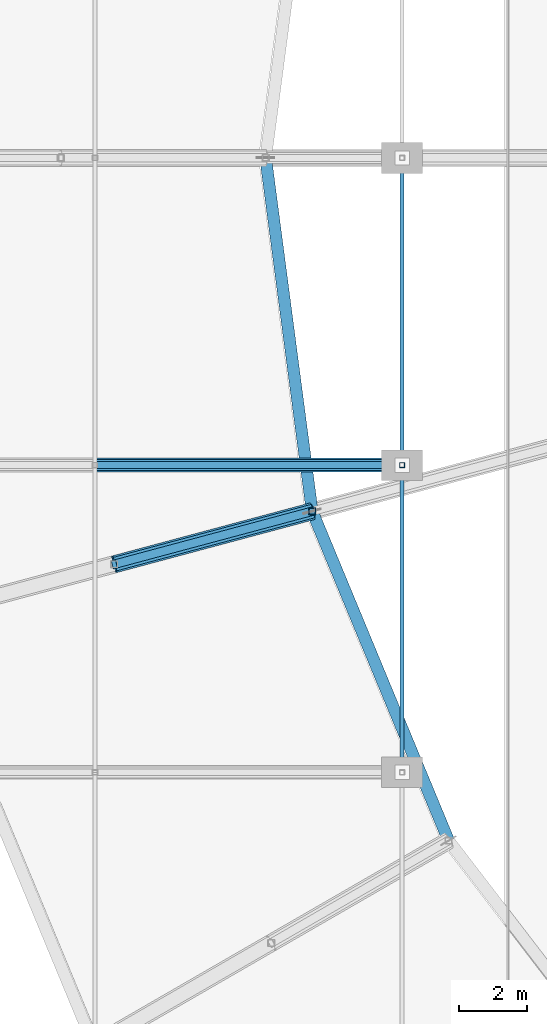
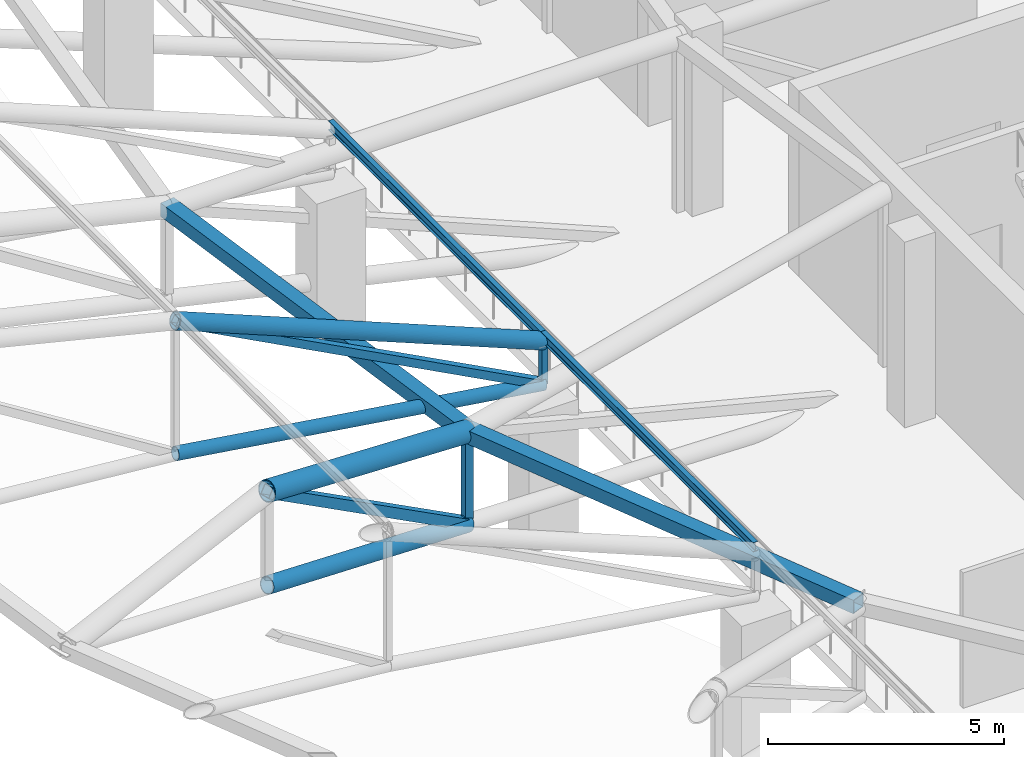
# One storey, part 48 of 167: 12 members.
"""IFC4 building model written with IfcOpenShell, lengths in metres."""

import ifcopenshell
import ifcopenshell.guid

model = None  # the IFC model being written
_history = None  # IfcOwnerHistory: only IFC2X3 demands one
_inside = {}  # id of a spatial element -> (the spatial element, [elements in it])
_under = {}  # id of a project, library or spatial element -> (it, [spatial elements below it])
_declared = {}  # id of a project -> (the project, [libraries it declares])
_typed = {}  # id of a type object -> (the type object, [elements of that type])
_made_of = {}  # id of a material, layer set ... -> (it, [elements and type objects made of it])


def new_model(schema):
    """Start an empty IFC model of exactly this schema.

    Asked for "IFC4X3", IfcOpenShell would pick the latest addendum, in which some entities
    have other attributes; the version numbers below select the first issue.
    IFC2X3 requires an IfcOwnerHistory on every rooted entity: one is made here for all.
    """
    global model, _history
    if schema == "IFC4X3":
        model = ifcopenshell.file(schema_version=(4, 3, 0, 0))
    else:
        model = ifcopenshell.file(schema=schema)
    _inside.clear()
    _under.clear()
    _declared.clear()
    _typed.clear()
    _made_of.clear()
    _history = None
    if model.schema == "IFC2X3":
        org = make("IfcOrganization", Name="unknown")
        user = make(
            "IfcPersonAndOrganization",
            ThePerson=make("IfcPerson", FamilyName="unknown"),
            TheOrganization=org,
        )
        app = make(
            "IfcApplication",
            ApplicationDeveloper=org,
            Version="unknown",
            ApplicationFullName="unknown",
            ApplicationIdentifier="unknown",
        )
        _history = make(
            "IfcOwnerHistory",
            OwningUser=user,
            OwningApplication=app,
            ChangeAction="ADDED",
            CreationDate=0,
        )
    return model


def make(cls, **values):
    """One entity of the class cls with the attributes given. An attribute that is None is left unset."""
    return model.create_entity(
        cls, **{name: value for name, value in values.items() if value is not None}
    )


def rooted(cls, **values):
    """An entity with a GlobalId (a new one), such as an element, a storey or a relation."""
    return make(cls, GlobalId=ifcopenshell.guid.new(), OwnerHistory=_history, **values)


def si_unit(unit_type, name, prefix=None):
    """IfcSIUnit, for example si_unit("LENGTHUNIT", "METRE", prefix="MILLI")."""
    return make("IfcSIUnit", UnitType=unit_type, Prefix=prefix, Name=name)


def assignment(units):
    """IfcUnitAssignment: the units of a project."""
    return None if units is None else make("IfcUnitAssignment", Units=units)


def point(xyz):
    """IfcCartesianPoint."""
    return None if xyz is None else make("IfcCartesianPoint", Coordinates=xyz)


def direction(xyz):
    """IfcDirection."""
    return None if xyz is None else make("IfcDirection", DirectionRatios=xyz)


def frame(location, z_axis=None, x_axis=None):
    """IfcAxis2Placement3D, a coordinate frame: its origin and axes. An axis left out is left unset."""
    return make(
        "IfcAxis2Placement3D",
        Location=point(location),
        Axis=direction(z_axis),
        RefDirection=direction(x_axis),
    )


def frame_2d(location, x_axis=None):
    """IfcAxis2Placement2D, a coordinate frame in the plane: its origin and x axis."""
    return make(
        "IfcAxis2Placement2D", Location=point(location), RefDirection=direction(x_axis)
    )


def origin():
    """The frame at (0, 0, 0) with its axes left unset."""
    return frame((0.0, 0.0, 0.0))


def origin_2d():
    """The frame at (0, 0) in the plane with its x axis left unset."""
    return frame_2d((0.0, 0.0))


def place(relative_to, where):
    """IfcLocalPlacement: puts the frame where relative to a parent placement (None: the world)."""
    return make(
        "IfcLocalPlacement", PlacementRelTo=relative_to, RelativePlacement=where
    )


def context(
    kind, dimensions, precision=None, world=None, true_north=None, identifier=None
):
    """IfcGeometricRepresentationContext, for example the 3D "Model" context."""
    return make(
        "IfcGeometricRepresentationContext",
        ContextIdentifier=identifier,
        ContextType=kind,
        CoordinateSpaceDimension=dimensions,
        Precision=precision,
        WorldCoordinateSystem=world,
        TrueNorth=true_north,
    )


def subcontext(parent, identifier, kind, view, scale=None):
    """IfcGeometricRepresentationSubContext, for example "Body" below "Model"."""
    return make(
        "IfcGeometricRepresentationSubContext",
        ContextIdentifier=identifier,
        ContextType=kind,
        ParentContext=parent,
        TargetScale=scale,
        TargetView=view,
    )


def project(units=None, contexts=None):
    """IfcProject with its units and contexts."""
    return rooted(
        "IfcProject",
        Name="project",
        RepresentationContexts=contexts,
        UnitsInContext=assignment(units),
    )


def spatial(cls, under=None, at=None, **own):
    """A site, building, storey or space (cls), placed at a placement, below another one or the project."""
    s = rooted(cls, ObjectPlacement=at, **own)
    if under is not None:
        _under.setdefault(under.id(), (under, []))[1].append(s)
    return s


def profile(cls, at=None, kind="AREA", **sizes):
    """A parametric profile (cls). Its sizes go by their IFC names, for example OverallWidth=200.0."""
    return make(cls, ProfileType=kind, Position=at, **sizes)


def hollow_rectangle(**sizes):
    """IfcRectangleHollowProfileDef."""
    return profile("IfcRectangleHollowProfileDef", **sizes)


def hollow_circle(**sizes):
    """IfcCircleHollowProfileDef."""
    return profile("IfcCircleHollowProfileDef", **sizes)


def i_section(**sizes):
    """IfcIShapeProfileDef."""
    return profile("IfcIShapeProfileDef", **sizes)


def extrude(swept, where, along, depth):
    """IfcExtrudedAreaSolid: the profile swept, set in the frame where, extruded along a direction by depth."""
    return make(
        "IfcExtrudedAreaSolid",
        SweptArea=swept,
        Position=where,
        ExtrudedDirection=direction(along),
        Depth=depth,
    )


def shape(context_of_items, identifier, shape_type, items):
    """IfcShapeRepresentation: the items that make up one representation, for example the "Body"."""
    return make(
        "IfcShapeRepresentation",
        ContextOfItems=context_of_items,
        RepresentationIdentifier=identifier,
        RepresentationType=shape_type,
        Items=items,
    )


def material(Name=None, Category=None):
    """IfcMaterial."""
    return make("IfcMaterial", Name=Name, Category=Category)


def material_profile(
    of_material, cross_section, Name=None, Category=None, Priority=None
):
    """IfcMaterialProfile: a cross section and its material."""
    return make(
        "IfcMaterialProfile",
        Name=Name,
        Material=of_material,
        Profile=cross_section,
        Priority=Priority,
        Category=Category,
    )


def profile_set(profiles, Name=None, composite=None):
    """IfcMaterialProfileSet."""
    return make(
        "IfcMaterialProfileSet",
        Name=Name,
        MaterialProfiles=profiles,
        CompositeProfile=composite,
    )


def made_of(thing, what):
    """Note that an element or type object is made of a material, layer set ...; save() writes the relation."""
    if what is not None:
        _made_of.setdefault(what.id(), (what, []))[1].append(thing)
    return thing


def type_object(cls, material=None, **own):
    """A type object (cls), such as IfcWallType, which elements share."""
    return made_of(rooted(cls, **own), material)


def element(
    cls,
    number,
    at=None,
    inside=None,
    cuts=None,
    type_object=None,
    material=None,
    context=None,
    identifier="Body",
    shape_type=None,
    held_by="IfcProductDefinitionShape",
    body=None,
    shapes=None,
    **own,
):
    """One element of the class cls, such as IfcWall. Its Tag is "e" and its number.

    at: its placement. inside: the storey or other place that contains it. cuts: it is an
    opening in that element (IfcRelVoidsElement). A single representation is given by context,
    identifier, shape_type and body (its items); several are given by shapes. held_by: the class
    of the entity that holds the representations. save() writes the other relations.
    """
    e = rooted(cls, Tag="e%d" % number, ObjectPlacement=at, **own)
    if body is not None:
        shapes = [shape(context, identifier, shape_type, body)]
    if shapes is not None:
        e.Representation = make(held_by, Representations=shapes)
    if inside is not None:
        _inside.setdefault(inside.id(), (inside, []))[1].append(e)
    if cuts is not None:
        rooted(
            "IfcRelVoidsElement", RelatingBuildingElement=cuts, RelatedOpeningElement=e
        )
    if type_object is not None:
        _typed.setdefault(type_object.id(), (type_object, []))[1].append(e)
    return made_of(e, material)


def aggregate(whole, parts):
    """IfcRelAggregates: a whole, such as a stair, and the parts it consists of."""
    return rooted("IfcRelAggregates", RelatingObject=whole, RelatedObjects=parts)


def save(model, path):
    """Write the relations noted so far, then the file.

    IfcRelAggregates (storeys below a building ...), IfcRelContainedInSpatialStructure (elements
    in a storey), IfcRelDefinesByType, IfcRelAssociatesMaterial and IfcRelDeclares: one each for
    every whole, place, type object, material and project.
    """
    for whole, parts in _under.values():
        aggregate(whole, parts)
    for where, things in _inside.values():
        rooted(
            "IfcRelContainedInSpatialStructure",
            RelatedElements=things,
            RelatingStructure=where,
        )
    for kind, things in _typed.values():
        rooted("IfcRelDefinesByType", RelatedObjects=things, RelatingType=kind)
    for what, things in _made_of.values():
        rooted("IfcRelAssociatesMaterial", RelatedObjects=things, RelatingMaterial=what)
    for by, libraries in _declared.values():
        rooted("IfcRelDeclares", RelatingContext=by, RelatedDefinitions=libraries)
    model.write(path)


model = new_model("IFC4")

# Units and contexts
model_context = context("Model", 3, precision=1e-05, world=origin(), true_north=direction((0.0, 1.0)))
body_context = subcontext(model_context, "Body", "Model", "MODEL_VIEW")
ifc_project = project(units=[si_unit("LENGTHUNIT", "METRE"), si_unit("AREAUNIT", "SQUARE_METRE"), si_unit("VOLUMEUNIT", "CUBIC_METRE"), si_unit("PLANEANGLEUNIT", "RADIAN"), si_unit("MASSUNIT", "GRAM", prefix="KILO")], contexts=[model_context])

# Site, building, storey
site_placement = place(None, origin())
site = spatial("IfcSite", under=ifc_project, at=site_placement, CompositionType="ELEMENT")
building_placement = place(site_placement, origin())
building = spatial("IfcBuilding", under=site, at=building_placement, Name="Dornveld Trade and Exhibition Forum", CompositionType="ELEMENT")
storey_placement = place(building_placement, frame((0.0, 0.0, 16.800048828125)))
storey = spatial("IfcBuildingStorey", under=building, at=storey_placement, Name="L03", CompositionType="ELEMENT", Elevation=16.800048828125)

# Members
ifc_material_1 = material(Name="Steel S355J2", Category="steel")
ifc_material_profile_1 = material_profile(ifc_material_1, hollow_circle(Radius=0.161865234375, WallThickness=0.01611328125, at=origin_2d()), Name="CHS 323.9x16")
ifc_profile_set_1 = profile_set([ifc_material_profile_1], Name="Steel S355J2")
member_type_1 = type_object("IfcMemberType", Name="MEM-ARCH-BC", PredefinedType="CHORD", material=ifc_profile_set_1)
member_1_placement = place(storey_placement, frame((72.0, 72.0, 5.283203125), z_axis=(0.989204758987, 0.0, -0.146539908551), x_axis=(0.0, 1.0, 0.0)))
element("IfcMember", 1, at=member_1_placement, inside=storey, type_object=member_type_1, Name="H3 truss 5 tie chord 6", PredefinedType="CHORD", context=body_context, shape_type="SweptSolid", body=[
    extrude(hollow_circle(Radius=0.161865234375, WallThickness=0.01611328125, at=origin_2d()), origin(), (0.0, 0.0, 1.0), 9.09814453125),
])
ifc_material_2 = material(Name="Steel S355J2", Category="steel")
ifc_material_profile_2 = material_profile(ifc_material_2, hollow_rectangle(XDim=0.14990234375, YDim=0.14990234375, WallThickness=0.008056640625, at=origin_2d()), Name="SHS 150x150x8")
ifc_profile_set_2 = profile_set([ifc_material_profile_2], Name="Steel S355J2")
member_type_2 = type_object("IfcMemberType", Name="MEM-ARCH-STR", PredefinedType="STRUT", material=ifc_profile_set_2)
member_2_placement = place(storey_placement, frame((81.0, 72.0, 3.949951171875), z_axis=(0.0, 0.0, 1.0), x_axis=(1.0, 0.0, 0.0)))
element("IfcMember", 2, at=member_2_placement, inside=storey, type_object=member_type_2, Name="H3 truss 5 end strut", PredefinedType="STRUT", context=body_context, shape_type="SweptSolid", body=[
    extrude(hollow_rectangle(XDim=0.14990234375, YDim=0.14990234375, WallThickness=0.008056640625, at=origin_2d()), origin(), (0.0, 0.0, 1.0), 1.10009765625),
])
ifc_material_3 = material(Name="Steel S355J2", Category="steel")
ifc_material_profile_3 = material_profile(ifc_material_3, hollow_circle(Radius=0.203125, WallThickness=0.02001953125, at=origin_2d()), Name="CHS 406.4x20")
ifc_profile_set_3 = profile_set([ifc_material_profile_3], Name="Steel S355J2")
member_type_3 = type_object("IfcMemberType", Name="MEM-ARCH-TC", PredefinedType="CHORD", material=ifc_profile_set_3)
member_3_placement = place(storey_placement, frame((72.0, 72.0, 8.716552734375), z_axis=(0.926098211611, 0.0, -0.377282523383), x_axis=(0.0, 1.0, 0.0)))
element("IfcMember", 3, at=member_3_placement, inside=storey, type_object=member_type_3, Name="H3 truss 5 top chord 6", PredefinedType="CHORD", context=body_context, shape_type="SweptSolid", body=[
    extrude(hollow_circle(Radius=0.203125, WallThickness=0.02001953125, at=origin_2d()), origin(), (0.0, 0.0, 1.0), 9.71826171875),
])
ifc_material_4 = material(Name="Steel S355J2", Category="steel")
ifc_material_profile_4 = material_profile(ifc_material_4, hollow_rectangle(XDim=0.199951171875, YDim=0.199951171875, WallThickness=0.010009765625, at=origin_2d()), Name="SHS 200x200x10")
ifc_profile_set_4 = profile_set([ifc_material_profile_4], Name="Steel S355J2")
member_type_4 = type_object("IfcMemberType", Name="MEM-ARCH-WEB", PredefinedType="BRACE", material=ifc_profile_set_4)
member_4_placement = place(storey_placement, frame((81.0, 72.0, 3.949951171875), z_axis=(-0.883710934211, 0.0, 0.468033102201), x_axis=(0.0, -1.0, 0.0)))
element("IfcMember", 4, at=member_4_placement, inside=storey, type_object=member_type_4, Name="H3 truss 5 web 6", PredefinedType="BRACE", context=body_context, shape_type="SweptSolid", body=[
    extrude(hollow_rectangle(XDim=0.199951171875, YDim=0.199951171875, WallThickness=0.010009765625, at=origin_2d()), origin(), (0.0, 0.0, 1.0), 10.184326171875),
])
ifc_material_5 = material(Name="Steel S355J2", Category="steel")
ifc_material_profile_5 = material_profile(ifc_material_5, hollow_circle(Radius=0.203125, WallThickness=0.02001953125, at=origin_2d()), Name="CHS 406.4x20")
ifc_profile_set_5 = profile_set([ifc_material_profile_5], Name="Steel S355J2")
member_type_5 = type_object("IfcMemberType", Name="MEM-DISC-BC", PredefinedType="CHORD", material=ifc_profile_set_5)
member_5_placement = place(storey_placement, frame((78.363037109375, 70.647216796875, 2.07568359375), z_axis=(-0.941958781399, -0.252403210265, 0.221373606362), x_axis=(0.258824896092, -0.965924258502, 0.0)))
element("IfcMember", 5, at=member_5_placement, inside=storey, type_object=member_type_5, Name="Roof disc radial R14 conical bottom chord 3", PredefinedType="CHORD", context=body_context, shape_type="SweptSolid", body=[
    extrude(hollow_circle(Radius=0.203125, WallThickness=0.02001953125, at=origin_2d()), origin(), (0.0, 0.0, 1.0), 6.15283203125),
])
ifc_material_6 = material(Name="Steel S355J2", Category="steel")
ifc_material_profile_6 = material_profile(ifc_material_6, hollow_rectangle(XDim=0.35009765625, YDim=0.35009765625, WallThickness=0.01611328125, at=origin_2d()), Name="SHS 350x350x16")
ifc_profile_set_6 = profile_set([ifc_material_profile_6], Name="Steel S355J2")
member_type_6 = type_object("IfcMemberType", Name="MEM-DISC-RING", PredefinedType="CHORD", material=ifc_profile_set_6)
member_6_placement = place(storey_placement, frame((77.0, 81.0, 4.449951171875), z_axis=(0.130532531574, -0.991444026761, 0.0), x_axis=(0.991444026761, 0.130532531574, 0.0)))
element("IfcMember", 6, at=member_6_placement, inside=storey, type_object=member_type_6, Name="Roof disc ring 3 chord 13", PredefinedType="CHORD", context=body_context, shape_type="SweptSolid", body=[
    extrude(hollow_rectangle(XDim=0.35009765625, YDim=0.35009765625, WallThickness=0.01611328125, at=origin_2d()), origin(), (0.0, 0.0, 1.0), 10.442138671875),
])
member_7_placement = place(storey_placement, frame((78.363037109375, 70.647216796875, 4.449951171875), z_axis=(0.382670482146, -0.923884896561, 0.0), x_axis=(0.923884896561, 0.382670482146, 0.0)))
element("IfcMember", 7, at=member_7_placement, inside=storey, type_object=member_type_6, Name="Roof disc ring 3 chord 14", PredefinedType="CHORD", context=body_context, shape_type="SweptSolid", body=[
    extrude(hollow_rectangle(XDim=0.35009765625, YDim=0.35009765625, WallThickness=0.01611328125, at=origin_2d()), origin(), (0.0, 0.0, 1.0), 10.44189453125),
])
ifc_material_7 = material(Name="Steel S355J2", Category="steel")
ifc_material_profile_7 = material_profile(ifc_material_7, hollow_rectangle(XDim=0.199951171875, YDim=0.199951171875, WallThickness=0.010009765625, at=origin_2d()), Name="SHS 200x200x10")
ifc_profile_set_7 = profile_set([ifc_material_profile_7], Name="Steel S355J2")
member_type_7 = type_object("IfcMemberType", Name="MEM-DISC-STR", PredefinedType="STRUT", material=ifc_profile_set_7)
member_8_placement = place(storey_placement, frame((78.363037109375, 70.647216796875, 2.07568359375), z_axis=(0.0, 0.0, 1.0), x_axis=(1.0, 0.0, 0.0)))
element("IfcMember", 8, at=member_8_placement, inside=storey, type_object=member_type_7, Name="Roof disc radial R14 strut 3", PredefinedType="STRUT", context=body_context, shape_type="SweptSolid", body=[
    extrude(hollow_rectangle(XDim=0.199951171875, YDim=0.199951171875, WallThickness=0.010009765625, at=origin_2d()), origin(), (0.0, 0.0, 1.0), 2.374267578125),
])
ifc_material_8 = material(Name="Steel S355J2", Category="steel")
ifc_material_profile_8 = material_profile(ifc_material_8, hollow_circle(Radius=0.25390625, WallThickness=0.02490234375, at=origin_2d()), Name="CHS 508x25")
ifc_profile_set_8 = profile_set([ifc_material_profile_8], Name="Steel S355J2")
member_type_8 = type_object("IfcMemberType", Name="MEM-DISC-TC", PredefinedType="CHORD", material=ifc_profile_set_8)
member_9_placement = place(storey_placement, frame((78.363037109375, 70.647216796875, 4.449951171875), z_axis=(-0.939782238472, -0.251819993215, 0.231075821474), x_axis=(0.258824896092, -0.965924258502, 0.0)))
element("IfcMember", 9, at=member_9_placement, inside=storey, type_object=member_type_8, Name="Roof disc radial R14 top chord 3", PredefinedType="CHORD", context=body_context, shape_type="SweptSolid", body=[
    extrude(hollow_circle(Radius=0.25390625, WallThickness=0.02490234375, at=origin_2d()), origin(), (0.0, 0.0, 1.0), 6.1669921875),
])
ifc_material_9 = material(Name="Steel S355J2", Category="steel")
ifc_material_profile_9 = material_profile(ifc_material_9, hollow_rectangle(XDim=0.25, YDim=0.25, WallThickness=0.012451171875, at=origin_2d()), Name="SHS 250x250x12.5")
ifc_profile_set_9 = profile_set([ifc_material_profile_9], Name="Steel S355J2")
member_type_9 = type_object("IfcMemberType", Name="MEM-DISC-WEB", PredefinedType="BRACE", material=ifc_profile_set_9)
member_10_placement = place(storey_placement, frame((78.363037109375, 70.647216796875, 2.07568359375), z_axis=(-0.816077646612, -0.218672644597, 0.534976213681), x_axis=(0.258824896092, -0.965924258502, 0.0)))
element("IfcMember", 10, at=member_10_placement, inside=storey, type_object=member_type_9, Name="Roof disc radial R14 web 3", PredefinedType="BRACE", context=body_context, shape_type="SweptSolid", body=[
    extrude(hollow_rectangle(XDim=0.25, YDim=0.25, WallThickness=0.012451171875, at=origin_2d()), origin(), (0.0, 0.0, 1.0), 7.101806640625),
])
ifc_material_10 = material(Name="Steel S355J2", Category="steel")
ifc_material_profile_10 = material_profile(ifc_material_10, i_section(OverallWidth=0.1201171875, OverallDepth=0.239990234375, WebThickness=0.006103515625, FlangeThickness=0.009765625, FilletRadius=0.014892578125, at=origin_2d()), Name="IPE 240")
ifc_profile_set_10 = profile_set([ifc_material_profile_10], Name="Steel S355J2")
member_type_10 = type_object("IfcMemberType", Name="MEM-PURLIN-240", PredefinedType="PURLIN", material=ifc_profile_set_10)
for number, where, z_axis, x_axis, name in (
    (11, (81.0, 63.0, 5.181884765625), (0.0, 1.0, 0.0), (-1.0, 0.0, 0.0), "H3 bay 4 roof purlin 7"),
    (12, (81.0, 72.0, 5.181884765625), (0.0, 1.0, 0.0), (-1.0, 0.0, 0.0), "H3 bay 5 roof purlin 7"),
):
    element("IfcMember", number, at=place(storey_placement, frame(where, z_axis=z_axis, x_axis=x_axis)), inside=storey, type_object=member_type_10, Name=name, PredefinedType="PURLIN", context=body_context, shape_type="SweptSolid", body=[
        extrude(i_section(OverallWidth=0.1201171875, OverallDepth=0.239990234375, WebThickness=0.006103515625, FlangeThickness=0.009765625, FilletRadius=0.014892578125, at=origin_2d()), origin(), (0.0, 0.0, 1.0), 9.0),
    ])

save(model, "model.ifc")
